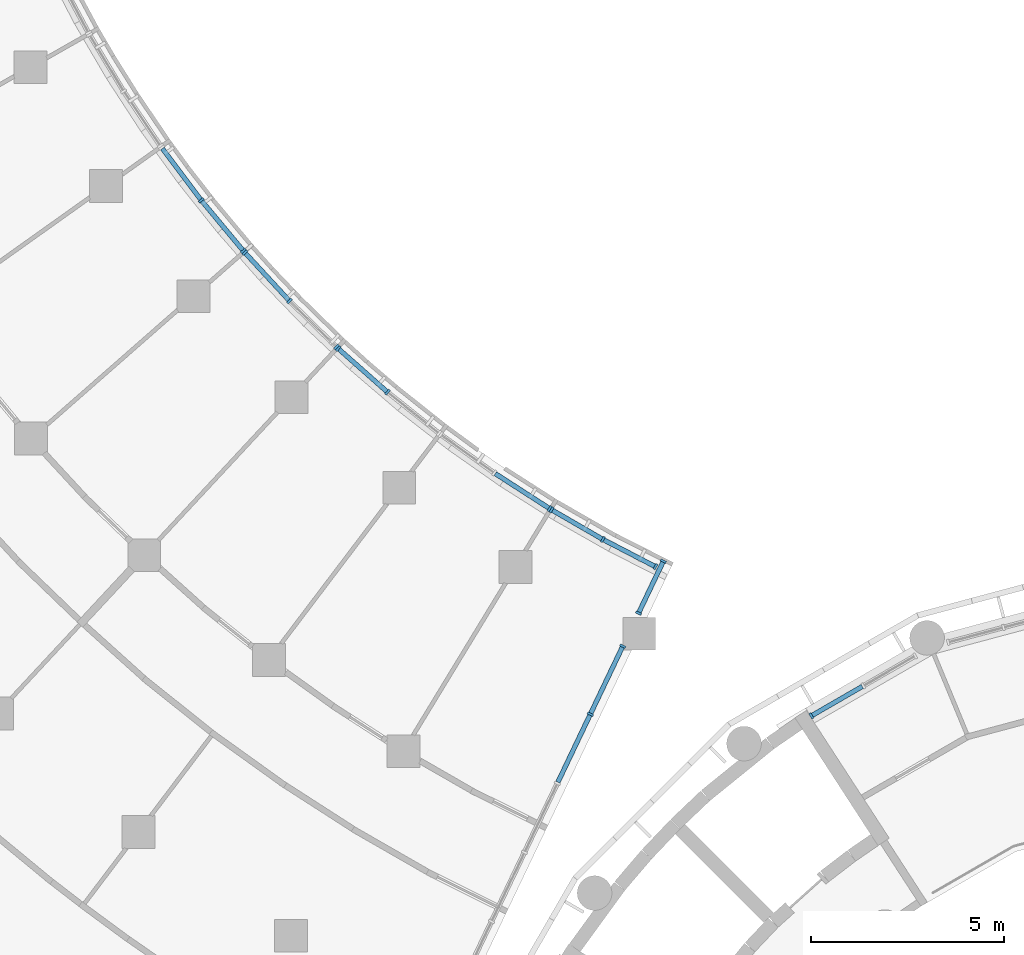
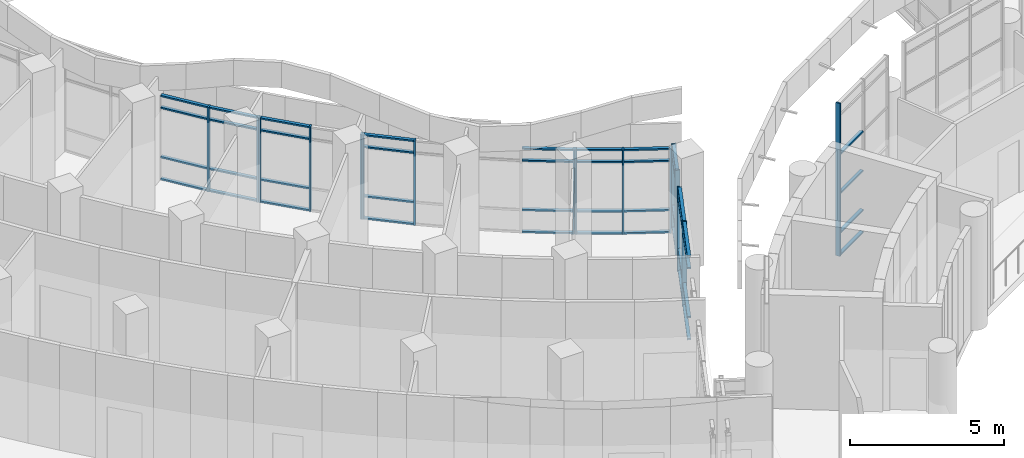
# One storey, part 20 of 136: 60 members, 8 elements without a shape of their own.
"""IFC4 building model written with IfcOpenShell, lengths in metres."""

from ifc_helpers import new_model, si_unit, direction, frame, origin, origin_2d, place, context, subcontext, project, spatial, rectangle, extrude, material, material_profile, profile_set, type_object, element, aggregate, save


model = new_model("IFC4")

# Units and contexts
model_context = context("Model", 3, precision=1e-05, world=origin(), true_north=direction((0.0, 1.0)))
body_context = subcontext(model_context, "Body", "Model", "MODEL_VIEW")
ifc_project = project(units=[si_unit("LENGTHUNIT", "METRE"), si_unit("AREAUNIT", "SQUARE_METRE"), si_unit("VOLUMEUNIT", "CUBIC_METRE"), si_unit("PLANEANGLEUNIT", "RADIAN"), si_unit("MASSUNIT", "GRAM", prefix="KILO")], contexts=[model_context])

# Site, building, storey
site_placement = place(None, origin())
site = spatial("IfcSite", under=ifc_project, at=site_placement, CompositionType="ELEMENT")
building_placement = place(site_placement, origin())
building = spatial("IfcBuilding", under=site, at=building_placement, Name="Bougainvillea Quay General Hospital", CompositionType="ELEMENT")
storey_placement = place(building_placement, frame((0.0, 0.0, 5.39990234375)))
storey = spatial("IfcBuildingStorey", under=building, at=storey_placement, Name="L01", CompositionType="ELEMENT", Elevation=5.39990234375)

# Curtain wall, members
ifc_material_1 = material(Name="Aluminium curtain wall system, powder-coated glazed", Category="aluminium")
curtain_wall_type_1 = type_object("IfcCurtainWallType", Name="Unitised curtain wall CW-1985", PredefinedType="NOTDEFINED", material=ifc_material_1)
curtain_wall_1_placement = place(storey_placement, origin())
curtain_wall_1 = element("IfcCurtainWall", 1, at=curtain_wall_1_placement, inside=storey, type_object=curtain_wall_type_1, Name="CW-AE 00", PredefinedType="NOTDEFINED")
ifc_material_2 = material(Name="Aluminium mullion, powder-coated charcoal", Category="aluminium")
ifc_material_profile_1 = material_profile(ifc_material_2, rectangle(XDim=0.159912109375, YDim=0.06005859375, at=origin_2d()))
ifc_profile_set_1 = profile_set([ifc_material_profile_1], Name="Aluminium mullion, powder-coated charcoal")
member_type_1 = type_object("IfcMemberType", Name="Curtain wall mullion 160x60", PredefinedType="MULLION", material=ifc_profile_set_1)
member_1_placement = place(storey_placement, frame((92.43017578125, 91.421630859375, 0.0), z_axis=(0.0, 0.0, 1.0), x_axis=(-0.902560506484, 0.430563040838, 0.0)))
member_1 = element("IfcMember", 2, at=member_1_placement, type_object=member_type_1, Name="CW-AE mullion 7", PredefinedType="MULLION", context=body_context, shape_type="SweptSolid", body=[
    extrude(rectangle(XDim=0.159912109375, YDim=0.06005859375, at=origin_2d()), origin(), (0.0, 0.0, 1.0), 3.35009765625),
])
member_2_placement = place(storey_placement, frame((93.271728515625, 93.18603515625, 0.0), z_axis=(0.0, 0.0, 1.0), x_axis=(-0.902560506484, 0.430563040838, 0.0)))
member_2 = element("IfcMember", 3, at=member_2_placement, type_object=member_type_1, Name="CW-AE mullion 8", PredefinedType="MULLION", context=body_context, shape_type="SweptSolid", body=[
    extrude(rectangle(XDim=0.159912109375, YDim=0.06005859375, at=origin_2d()), origin(), (0.0, 0.0, 1.0), 3.35009765625),
])

curtain_wall_type_2 = type_object("IfcCurtainWallType", Name="Unitised curtain wall CW-1555", PredefinedType="NOTDEFINED", material=ifc_material_1)
curtain_wall_2_placement = place(storey_placement, origin())
curtain_wall_2 = element("IfcCurtainWall", 4, at=curtain_wall_2_placement, inside=storey, type_object=curtain_wall_type_2, Name="CW-AE 01", PredefinedType="NOTDEFINED")
member_3_placement = place(storey_placement, frame((93.680908203125, 94.04345703125, 0.0), z_axis=(0.0, 0.0, 1.0), x_axis=(-0.902560506484, 0.430563040838, 0.0)))
member_3 = element("IfcMember", 5, at=member_3_placement, type_object=member_type_1, Name="CW-AE mullion 1", PredefinedType="MULLION", context=body_context, shape_type="SweptSolid", body=[
    extrude(rectangle(XDim=0.159912109375, YDim=0.06005859375, at=origin_2d()), origin(), (0.0, 0.0, 1.0), 3.35009765625),
])
member_4_placement = place(storey_placement, frame((94.324462890625, 95.392578125, 0.0), z_axis=(0.0, 0.0, 1.0), x_axis=(-0.902560506484, 0.430563040838, 0.0)))
member_4 = element("IfcMember", 6, at=member_4_placement, type_object=member_type_1, Name="CW-AE mullion 2", PredefinedType="MULLION", context=body_context, shape_type="SweptSolid", body=[
    extrude(rectangle(XDim=0.159912109375, YDim=0.06005859375, at=origin_2d()), origin(), (0.0, 0.0, 1.0), 3.35009765625),
])

curtain_wall_type_3 = type_object("IfcCurtainWallType", Name="Unitised curtain wall CW-2100", PredefinedType="NOTDEFINED", material=ifc_material_1)
curtain_wall_3_placement = place(storey_placement, origin())
curtain_wall_3 = element("IfcCurtainWall", 7, at=curtain_wall_3_placement, inside=storey, type_object=curtain_wall_type_3, Name="CW-W01 a11b0", PredefinedType="NOTDEFINED")
member_5_placement = place(storey_placement, frame((94.120361328125, 95.2490234375, 0.0), z_axis=(0.0, 0.0, 1.0), x_axis=(-0.459924477228, -0.887958036873, 0.0)))
member_5 = element("IfcMember", 8, at=member_5_placement, type_object=member_type_1, Name="CW-W01 mullion 1", PredefinedType="MULLION", context=body_context, shape_type="SweptSolid", body=[
    extrude(rectangle(XDim=0.159912109375, YDim=0.06005859375, at=origin_2d()), origin(), (0.0, 0.0, 1.0), 3.35009765625),
])
member_6_placement = place(storey_placement, frame((92.756591796875, 95.95556640625, 0.0), z_axis=(0.0, 0.0, 1.0), x_axis=(-0.480103411147, -0.877211898349, 0.0)))
member_6 = element("IfcMember", 9, at=member_6_placement, type_object=member_type_1, Name="CW-W01 mullion 2", PredefinedType="MULLION", context=body_context, shape_type="SweptSolid", body=[
    extrude(rectangle(XDim=0.159912109375, YDim=0.06005859375, at=origin_2d()), origin(), (0.0, 0.0, 1.0), 3.35009765625),
])
member_7_placement = place(storey_placement, frame((91.42626953125, 96.7236328125, 0.0), z_axis=(0.0, 0.0, 1.0), x_axis=(-0.50003140996, -0.866007268476, 0.0)))
member_7 = element("IfcMember", 10, at=member_7_placement, type_object=member_type_1, Name="CW-W01 mullion 3", PredefinedType="MULLION", context=body_context, shape_type="SweptSolid", body=[
    extrude(rectangle(XDim=0.159912109375, YDim=0.06005859375, at=origin_2d()), origin(), (0.0, 0.0, 1.0), 3.35009765625),
])

# Curtain wall, member
curtain_wall_4_placement = place(storey_placement, origin())
curtain_wall_4 = element("IfcCurtainWall", 11, at=curtain_wall_4_placement, inside=storey, type_object=curtain_wall_type_3, Name="CW-W02 a11b1", PredefinedType="NOTDEFINED")
member_8_placement = place(storey_placement, frame((91.375244140625, 96.7548828125, 0.0), z_axis=(0.0, 0.0, 1.0), x_axis=(-0.541194636325, -0.840897357359, 0.0)))
member_8 = element("IfcMember", 12, at=member_8_placement, type_object=member_type_1, Name="CW-W02 mullion 1", PredefinedType="MULLION", context=body_context, shape_type="SweptSolid", body=[
    extrude(rectangle(XDim=0.159912109375, YDim=0.06005859375, at=origin_2d()), origin(), (0.0, 0.0, 1.0), 3.35009765625),
])

# Curtain wall, members
curtain_wall_5_placement = place(storey_placement, origin())
curtain_wall_5 = element("IfcCurtainWall", 13, at=curtain_wall_5_placement, inside=storey, type_object=curtain_wall_type_3, Name="CW-W03 a11b2", PredefinedType="NOTDEFINED")
member_9_placement = place(storey_placement, frame((87.1708984375, 99.774658203125, 0.0), z_axis=(0.0, 0.0, 1.0), x_axis=(-0.643188621489, -0.765707775321, 0.0)))
member_9 = element("IfcMember", 14, at=member_9_placement, type_object=member_type_1, Name="CW-W03 mullion 2", PredefinedType="MULLION", context=body_context, shape_type="SweptSolid", body=[
    extrude(rectangle(XDim=0.159912109375, YDim=0.06005859375, at=origin_2d()), origin(), (0.0, 0.0, 1.0), 3.35009765625),
])
member_10_placement = place(storey_placement, frame((85.89208984375, 100.9052734375, 0.0), z_axis=(0.0, 0.0, 1.0), x_axis=(-0.662397799417, -0.749152291145, 0.0)))
member_10 = element("IfcMember", 15, at=member_10_placement, type_object=member_type_1, Name="CW-W03 mullion 3", PredefinedType="MULLION", context=body_context, shape_type="SweptSolid", body=[
    extrude(rectangle(XDim=0.159912109375, YDim=0.06005859375, at=origin_2d()), origin(), (0.0, 0.0, 1.0), 3.35009765625),
])

curtain_wall_6_placement = place(storey_placement, origin())
curtain_wall_6 = element("IfcCurtainWall", 16, at=curtain_wall_6_placement, inside=storey, type_object=curtain_wall_type_3, Name="CW-W04 a11b3", PredefinedType="NOTDEFINED")
member_11_placement = place(storey_placement, frame((85.84814453125, 100.946044921875, 0.0), z_axis=(0.0, 0.0, 1.0), x_axis=(-0.699526158712, -0.714606992183, 0.0)))
member_11 = element("IfcMember", 17, at=member_11_placement, type_object=member_type_1, Name="CW-W04 mullion 1", PredefinedType="MULLION", context=body_context, shape_type="SweptSolid", body=[
    extrude(rectangle(XDim=0.159912109375, YDim=0.06005859375, at=origin_2d()), origin(), (0.0, 0.0, 1.0), 3.35009765625),
])
member_12_placement = place(storey_placement, frame((84.62841796875, 102.14013671875, 0.0), z_axis=(0.0, 0.0, 1.0), x_axis=(-0.717421463702, -0.69663939267, 0.0)))
member_12 = element("IfcMember", 18, at=member_12_placement, type_object=member_type_1, Name="CW-W04 mullion 2", PredefinedType="MULLION", context=body_context, shape_type="SweptSolid", body=[
    extrude(rectangle(XDim=0.159912109375, YDim=0.06005859375, at=origin_2d()), origin(), (0.0, 0.0, 1.0), 3.35009765625),
])
member_13_placement = place(storey_placement, frame((83.470703125, 103.39453125, 0.0), z_axis=(0.0, 0.0, 1.0), x_axis=(-0.734855411756, -0.678223800683, 0.0)))
member_13 = element("IfcMember", 19, at=member_13_placement, type_object=member_type_1, Name="CW-W04 mullion 3", PredefinedType="MULLION", context=body_context, shape_type="SweptSolid", body=[
    extrude(rectangle(XDim=0.159912109375, YDim=0.06005859375, at=origin_2d()), origin(), (0.0, 0.0, 1.0), 3.35009765625),
])

curtain_wall_7_placement = place(storey_placement, origin())
curtain_wall_7 = element("IfcCurtainWall", 20, at=curtain_wall_7_placement, inside=storey, type_object=curtain_wall_type_3, Name="CW-W05 a11b4", PredefinedType="NOTDEFINED")
member_14_placement = place(storey_placement, frame((83.43115234375, 103.439697265625, 0.0), z_axis=(0.0, 0.0, 1.0), x_axis=(-0.768294695498, -0.64009629031, 0.0)))
member_14 = element("IfcMember", 21, at=member_14_placement, type_object=member_type_1, Name="CW-W05 mullion 1", PredefinedType="MULLION", context=body_context, shape_type="SweptSolid", body=[
    extrude(rectangle(XDim=0.159912109375, YDim=0.06005859375, at=origin_2d()), origin(), (0.0, 0.0, 1.0), 3.35009765625),
])
member_15_placement = place(storey_placement, frame((82.338623046875, 104.7509765625, 0.0), z_axis=(0.0, 0.0, 1.0), x_axis=(-0.784278527167, -0.620408890833, 0.0)))
member_15 = element("IfcMember", 22, at=member_15_placement, type_object=member_type_1, Name="CW-W05 mullion 2", PredefinedType="MULLION", context=body_context, shape_type="SweptSolid", body=[
    extrude(rectangle(XDim=0.159912109375, YDim=0.06005859375, at=origin_2d()), origin(), (0.0, 0.0, 1.0), 3.35009765625),
])

# Curtain wall, member
curtain_wall_type_4 = type_object("IfcCurtainWallType", Name="Unitised curtain wall CW-1585", PredefinedType="NOTDEFINED", material=ifc_material_1)
curtain_wall_8_placement = place(storey_placement, origin())
curtain_wall_8 = element("IfcCurtainWall", 23, at=curtain_wall_8_placement, inside=storey, type_object=curtain_wall_type_4, Name="CW-D 00", PredefinedType="NOTDEFINED")
member_16_placement = place(storey_placement, frame((98.16259765625, 91.379638671875, 0.0), z_axis=(0.0, 0.0, 1.0), x_axis=(0.499964557262, -0.866045865692, 0.0)))
member_16 = element("IfcMember", 24, at=member_16_placement, type_object=member_type_1, Name="CW-D mullion 3", PredefinedType="MULLION", context=body_context, shape_type="SweptSolid", body=[
    extrude(rectangle(XDim=0.159912109375, YDim=0.06005859375, at=origin_2d()), origin(), (0.0, 0.0, 1.0), 6.050048828125),
])

# Member
ifc_material_3 = material(Name="Aluminium transom, powder-coated charcoal", Category="aluminium")
ifc_material_profile_2 = material_profile(ifc_material_3, rectangle(XDim=0.1201171875, YDim=0.06005859375, at=origin_2d()))
ifc_profile_set_2 = profile_set([ifc_material_profile_2], Name="Aluminium transom, powder-coated charcoal")
member_type_2 = type_object("IfcMemberType", Name="Curtain wall transom 120x60", PredefinedType="USERDEFINED", material=ifc_profile_set_2)
member_17_placement = place(storey_placement, frame((91.58837890625, 89.6572265625, 0.030029296875), z_axis=(0.430598106439, 0.902543777737, 0.0), x_axis=(-0.902543777737, 0.430598106439, 0.0)))
member_17 = element("IfcMember", 25, at=member_17_placement, type_object=member_type_2, Name="CW-AE transom 6.1", ObjectType="TRANSOM", PredefinedType="USERDEFINED", context=body_context, shape_type="SweptSolid", body=[
    extrude(rectangle(XDim=0.1201171875, YDim=0.06005859375, at=origin_2d()), origin(), (0.0, 0.0, 1.0), 1.9248046875),
])

member_18_placement = place(storey_placement, frame((91.58837890625, 89.6572265625, 0.900146484375), z_axis=(0.430598106439, 0.902543777737, 0.0), x_axis=(-0.902543777737, 0.430598106439, 0.0)))
member_18 = element("IfcMember", 26, at=member_18_placement, type_object=member_type_2, Name="CW-AE transom 6.2", ObjectType="TRANSOM", PredefinedType="USERDEFINED", context=body_context, shape_type="SweptSolid", body=[
    extrude(rectangle(XDim=0.1201171875, YDim=0.06005859375, at=origin_2d()), origin(), (0.0, 0.0, 1.0), 1.9248046875),
])

member_19_placement = place(storey_placement, frame((91.58837890625, 89.6572265625, 2.85009765625), z_axis=(0.430598106439, 0.902543777737, 0.0), x_axis=(-0.902543777737, 0.430598106439, 0.0)))
member_19 = element("IfcMember", 27, at=member_19_placement, type_object=member_type_2, Name="CW-AE transom 6.3", ObjectType="TRANSOM", PredefinedType="USERDEFINED", context=body_context, shape_type="SweptSolid", body=[
    extrude(rectangle(XDim=0.1201171875, YDim=0.06005859375, at=origin_2d()), origin(), (0.0, 0.0, 1.0), 1.9248046875),
])

member_20_placement = place(storey_placement, frame((91.58837890625, 89.6572265625, 3.320068359375), z_axis=(0.430598106439, 0.902543777737, 0.0), x_axis=(-0.902543777737, 0.430598106439, 0.0)))
member_20 = element("IfcMember", 28, at=member_20_placement, type_object=member_type_2, Name="CW-AE transom 6.4", ObjectType="TRANSOM", PredefinedType="USERDEFINED", context=body_context, shape_type="SweptSolid", body=[
    extrude(rectangle(XDim=0.1201171875, YDim=0.06005859375, at=origin_2d()), origin(), (0.0, 0.0, 1.0), 1.9248046875),
])

member_21_placement = place(storey_placement, frame((92.443115234375, 91.44873046875, 0.030029296875), z_axis=(0.430488674574, 0.902595978865, 0.0), x_axis=(-0.902595978865, 0.430488674574, 0.0)))
member_21 = element("IfcMember", 29, at=member_21_placement, type_object=member_type_2, Name="CW-AE transom 7.1", ObjectType="TRANSOM", PredefinedType="USERDEFINED", context=body_context, shape_type="SweptSolid", body=[
    extrude(rectangle(XDim=0.1201171875, YDim=0.06005859375, at=origin_2d()), origin(), (0.0, 0.0, 1.0), 1.894775390625),
])

member_22_placement = place(storey_placement, frame((92.443115234375, 91.44873046875, 0.900146484375), z_axis=(0.430488674574, 0.902595978865, 0.0), x_axis=(-0.902595978865, 0.430488674574, 0.0)))
member_22 = element("IfcMember", 30, at=member_22_placement, type_object=member_type_2, Name="CW-AE transom 7.2", ObjectType="TRANSOM", PredefinedType="USERDEFINED", context=body_context, shape_type="SweptSolid", body=[
    extrude(rectangle(XDim=0.1201171875, YDim=0.06005859375, at=origin_2d()), origin(), (0.0, 0.0, 1.0), 1.894775390625),
])

member_23_placement = place(storey_placement, frame((92.443115234375, 91.44873046875, 2.85009765625), z_axis=(0.430488674574, 0.902595978865, 0.0), x_axis=(-0.902595978865, 0.430488674574, 0.0)))
member_23 = element("IfcMember", 31, at=member_23_placement, type_object=member_type_2, Name="CW-AE transom 7.3", ObjectType="TRANSOM", PredefinedType="USERDEFINED", context=body_context, shape_type="SweptSolid", body=[
    extrude(rectangle(XDim=0.1201171875, YDim=0.06005859375, at=origin_2d()), origin(), (0.0, 0.0, 1.0), 1.894775390625),
])

member_24_placement = place(storey_placement, frame((92.443115234375, 91.44873046875, 3.320068359375), z_axis=(0.430488674574, 0.902595978865, 0.0), x_axis=(-0.902595978865, 0.430488674574, 0.0)))
member_24 = element("IfcMember", 32, at=member_24_placement, type_object=member_type_2, Name="CW-AE transom 7.4", ObjectType="TRANSOM", PredefinedType="USERDEFINED", context=body_context, shape_type="SweptSolid", body=[
    extrude(rectangle(XDim=0.1201171875, YDim=0.06005859375, at=origin_2d()), origin(), (0.0, 0.0, 1.0), 1.894775390625),
])

aggregate(curtain_wall_1, [member_1, member_2, member_17, member_18, member_19, member_20, member_21, member_22, member_23, member_24])

member_25_placement = place(storey_placement, frame((93.69384765625, 94.070556640625, 0.030029296875), z_axis=(0.430527978347, 0.902577232075, 0.0), x_axis=(-0.902577232075, 0.430527978347, 0.0)))
member_25 = element("IfcMember", 33, at=member_25_placement, type_object=member_type_2, Name="CW-AE transom 1.1", ObjectType="TRANSOM", PredefinedType="USERDEFINED", context=body_context, shape_type="SweptSolid", body=[
    extrude(rectangle(XDim=0.1201171875, YDim=0.06005859375, at=origin_2d()), origin(), (0.0, 0.0, 1.0), 1.434814453125),
])

member_26_placement = place(storey_placement, frame((93.69384765625, 94.070556640625, 0.900146484375), z_axis=(0.430527978347, 0.902577232075, 0.0), x_axis=(-0.902577232075, 0.430527978347, 0.0)))
member_26 = element("IfcMember", 34, at=member_26_placement, type_object=member_type_2, Name="CW-AE transom 1.2", ObjectType="TRANSOM", PredefinedType="USERDEFINED", context=body_context, shape_type="SweptSolid", body=[
    extrude(rectangle(XDim=0.1201171875, YDim=0.06005859375, at=origin_2d()), origin(), (0.0, 0.0, 1.0), 1.434814453125),
])

member_27_placement = place(storey_placement, frame((93.69384765625, 94.070556640625, 2.85009765625), z_axis=(0.430527978347, 0.902577232075, 0.0), x_axis=(-0.902577232075, 0.430527978347, 0.0)))
member_27 = element("IfcMember", 35, at=member_27_placement, type_object=member_type_2, Name="CW-AE transom 1.3", ObjectType="TRANSOM", PredefinedType="USERDEFINED", context=body_context, shape_type="SweptSolid", body=[
    extrude(rectangle(XDim=0.1201171875, YDim=0.06005859375, at=origin_2d()), origin(), (0.0, 0.0, 1.0), 1.434814453125),
])

member_28_placement = place(storey_placement, frame((93.69384765625, 94.070556640625, 3.320068359375), z_axis=(0.430527978347, 0.902577232075, 0.0), x_axis=(-0.902577232075, 0.430527978347, 0.0)))
member_28 = element("IfcMember", 36, at=member_28_placement, type_object=member_type_2, Name="CW-AE transom 1.4", ObjectType="TRANSOM", PredefinedType="USERDEFINED", context=body_context, shape_type="SweptSolid", body=[
    extrude(rectangle(XDim=0.1201171875, YDim=0.06005859375, at=origin_2d()), origin(), (0.0, 0.0, 1.0), 1.434814453125),
])

aggregate(curtain_wall_2, [member_3, member_4, member_25, member_26, member_27, member_28])

member_29_placement = place(storey_placement, frame((94.09375, 95.262939453125, 0.030029296875), z_axis=(-0.887984759124, 0.459872881961, 0.0), x_axis=(-0.459872881961, -0.887984759124, 0.0)))
member_29 = element("IfcMember", 37, at=member_29_placement, type_object=member_type_2, Name="CW-W01 transom 1.1", ObjectType="TRANSOM", PredefinedType="USERDEFINED", context=body_context, shape_type="SweptSolid", body=[
    extrude(rectangle(XDim=0.1201171875, YDim=0.06005859375, at=origin_2d()), origin(), (0.0, 0.0, 1.0), 1.475830078125),
])

member_30_placement = place(storey_placement, frame((94.09375, 95.262939453125, 0.900146484375), z_axis=(-0.887984759124, 0.459872881961, 0.0), x_axis=(-0.459872881961, -0.887984759124, 0.0)))
member_30 = element("IfcMember", 38, at=member_30_placement, type_object=member_type_2, Name="CW-W01 transom 1.2", ObjectType="TRANSOM", PredefinedType="USERDEFINED", context=body_context, shape_type="SweptSolid", body=[
    extrude(rectangle(XDim=0.1201171875, YDim=0.06005859375, at=origin_2d()), origin(), (0.0, 0.0, 1.0), 1.475830078125),
])

member_31_placement = place(storey_placement, frame((94.09375, 95.262939453125, 2.85009765625), z_axis=(-0.887984759124, 0.459872881961, 0.0), x_axis=(-0.459872881961, -0.887984759124, 0.0)))
member_31 = element("IfcMember", 39, at=member_31_placement, type_object=member_type_2, Name="CW-W01 transom 1.3", ObjectType="TRANSOM", PredefinedType="USERDEFINED", context=body_context, shape_type="SweptSolid", body=[
    extrude(rectangle(XDim=0.1201171875, YDim=0.06005859375, at=origin_2d()), origin(), (0.0, 0.0, 1.0), 1.475830078125),
])

member_32_placement = place(storey_placement, frame((94.09375, 95.262939453125, 3.320068359375), z_axis=(-0.887984759124, 0.459872881961, 0.0), x_axis=(-0.459872881961, -0.887984759124, 0.0)))
member_32 = element("IfcMember", 40, at=member_32_placement, type_object=member_type_2, Name="CW-W01 transom 1.4", ObjectType="TRANSOM", PredefinedType="USERDEFINED", context=body_context, shape_type="SweptSolid", body=[
    extrude(rectangle(XDim=0.1201171875, YDim=0.06005859375, at=origin_2d()), origin(), (0.0, 0.0, 1.0), 1.475830078125),
])

member_33_placement = place(storey_placement, frame((92.73046875, 95.970458984375, 0.030029296875), z_axis=(-0.865984475827, 0.500070882603, 0.0), x_axis=(-0.500070882603, -0.865984475827, 0.0)))
member_33 = element("IfcMember", 41, at=member_33_placement, type_object=member_type_2, Name="CW-W01 transom 2.1", ObjectType="TRANSOM", PredefinedType="USERDEFINED", context=body_context, shape_type="SweptSolid", body=[
    extrude(rectangle(XDim=0.1201171875, YDim=0.06005859375, at=origin_2d()), origin(), (0.0, 0.0, 1.0), 1.475830078125),
])

member_34_placement = place(storey_placement, frame((92.73046875, 95.970458984375, 0.900146484375), z_axis=(-0.865984475827, 0.500070882603, 0.0), x_axis=(-0.500070882603, -0.865984475827, 0.0)))
member_34 = element("IfcMember", 42, at=member_34_placement, type_object=member_type_2, Name="CW-W01 transom 2.2", ObjectType="TRANSOM", PredefinedType="USERDEFINED", context=body_context, shape_type="SweptSolid", body=[
    extrude(rectangle(XDim=0.1201171875, YDim=0.06005859375, at=origin_2d()), origin(), (0.0, 0.0, 1.0), 1.475830078125),
])

member_35_placement = place(storey_placement, frame((92.73046875, 95.970458984375, 2.85009765625), z_axis=(-0.865984475827, 0.500070882603, 0.0), x_axis=(-0.500070882603, -0.865984475827, 0.0)))
member_35 = element("IfcMember", 43, at=member_35_placement, type_object=member_type_2, Name="CW-W01 transom 2.3", ObjectType="TRANSOM", PredefinedType="USERDEFINED", context=body_context, shape_type="SweptSolid", body=[
    extrude(rectangle(XDim=0.1201171875, YDim=0.06005859375, at=origin_2d()), origin(), (0.0, 0.0, 1.0), 1.475830078125),
])

member_36_placement = place(storey_placement, frame((92.73046875, 95.970458984375, 3.320068359375), z_axis=(-0.865984475827, 0.500070882603, 0.0), x_axis=(-0.500070882603, -0.865984475827, 0.0)))
member_36 = element("IfcMember", 44, at=member_36_placement, type_object=member_type_2, Name="CW-W01 transom 2.4", ObjectType="TRANSOM", PredefinedType="USERDEFINED", context=body_context, shape_type="SweptSolid", body=[
    extrude(rectangle(XDim=0.1201171875, YDim=0.06005859375, at=origin_2d()), origin(), (0.0, 0.0, 1.0), 1.475830078125),
])

aggregate(curtain_wall_3, [member_5, member_6, member_7, member_29, member_30, member_31, member_32, member_33, member_34, member_35, member_36])

member_37_placement = place(storey_placement, frame((91.349853515625, 96.77099609375, 0.030029296875), z_axis=(-0.840860427207, 0.541252013352, 0.0), x_axis=(-0.541252013352, -0.840860427207, 0.0)))
member_37 = element("IfcMember", 45, at=member_37_placement, type_object=member_type_2, Name="CW-W02 transom 1.1", ObjectType="TRANSOM", PredefinedType="USERDEFINED", context=body_context, shape_type="SweptSolid", body=[
    extrude(rectangle(XDim=0.1201171875, YDim=0.06005859375, at=origin_2d()), origin(), (0.0, 0.0, 1.0), 1.646728515625),
])

member_38_placement = place(storey_placement, frame((91.349853515625, 96.77099609375, 0.900146484375), z_axis=(-0.840860427207, 0.541252013352, 0.0), x_axis=(-0.541252013352, -0.840860427207, 0.0)))
member_38 = element("IfcMember", 46, at=member_38_placement, type_object=member_type_2, Name="CW-W02 transom 1.2", ObjectType="TRANSOM", PredefinedType="USERDEFINED", context=body_context, shape_type="SweptSolid", body=[
    extrude(rectangle(XDim=0.1201171875, YDim=0.06005859375, at=origin_2d()), origin(), (0.0, 0.0, 1.0), 1.646728515625),
])

member_39_placement = place(storey_placement, frame((91.349853515625, 96.77099609375, 2.85009765625), z_axis=(-0.840860427207, 0.541252013352, 0.0), x_axis=(-0.541252013352, -0.840860427207, 0.0)))
member_39 = element("IfcMember", 47, at=member_39_placement, type_object=member_type_2, Name="CW-W02 transom 1.3", ObjectType="TRANSOM", PredefinedType="USERDEFINED", context=body_context, shape_type="SweptSolid", body=[
    extrude(rectangle(XDim=0.1201171875, YDim=0.06005859375, at=origin_2d()), origin(), (0.0, 0.0, 1.0), 1.646728515625),
])

member_40_placement = place(storey_placement, frame((91.349853515625, 96.77099609375, 3.320068359375), z_axis=(-0.840860427207, 0.541252013352, 0.0), x_axis=(-0.541252013352, -0.840860427207, 0.0)))
member_40 = element("IfcMember", 48, at=member_40_placement, type_object=member_type_2, Name="CW-W02 transom 1.4", ObjectType="TRANSOM", PredefinedType="USERDEFINED", context=body_context, shape_type="SweptSolid", body=[
    extrude(rectangle(XDim=0.1201171875, YDim=0.06005859375, at=origin_2d()), origin(), (0.0, 0.0, 1.0), 1.646728515625),
])

aggregate(curtain_wall_4, [member_8, member_37, member_38, member_39, member_40])

member_41_placement = place(storey_placement, frame((87.1484375, 99.79443359375, 0.030029296875), z_axis=(-0.749205906667, 0.662337156903, 0.0), x_axis=(-0.662337156903, -0.749205906667, 0.0)))
member_41 = element("IfcMember", 49, at=member_41_placement, type_object=member_type_2, Name="CW-W03 transom 2.1", ObjectType="TRANSOM", PredefinedType="USERDEFINED", context=body_context, shape_type="SweptSolid", body=[
    extrude(rectangle(XDim=0.1201171875, YDim=0.06005859375, at=origin_2d()), origin(), (0.0, 0.0, 1.0), 1.64697265625),
])

member_42_placement = place(storey_placement, frame((87.1484375, 99.79443359375, 0.900146484375), z_axis=(-0.749205906667, 0.662337156903, 0.0), x_axis=(-0.662337156903, -0.749205906667, 0.0)))
member_42 = element("IfcMember", 50, at=member_42_placement, type_object=member_type_2, Name="CW-W03 transom 2.2", ObjectType="TRANSOM", PredefinedType="USERDEFINED", context=body_context, shape_type="SweptSolid", body=[
    extrude(rectangle(XDim=0.1201171875, YDim=0.06005859375, at=origin_2d()), origin(), (0.0, 0.0, 1.0), 1.64697265625),
])

member_43_placement = place(storey_placement, frame((87.1484375, 99.79443359375, 2.85009765625), z_axis=(-0.749205906667, 0.662337156903, 0.0), x_axis=(-0.662337156903, -0.749205906667, 0.0)))
member_43 = element("IfcMember", 51, at=member_43_placement, type_object=member_type_2, Name="CW-W03 transom 2.3", ObjectType="TRANSOM", PredefinedType="USERDEFINED", context=body_context, shape_type="SweptSolid", body=[
    extrude(rectangle(XDim=0.1201171875, YDim=0.06005859375, at=origin_2d()), origin(), (0.0, 0.0, 1.0), 1.64697265625),
])

member_44_placement = place(storey_placement, frame((87.1484375, 99.79443359375, 3.320068359375), z_axis=(-0.749205906667, 0.662337156903, 0.0), x_axis=(-0.662337156903, -0.749205906667, 0.0)))
member_44 = element("IfcMember", 52, at=member_44_placement, type_object=member_type_2, Name="CW-W03 transom 2.4", ObjectType="TRANSOM", PredefinedType="USERDEFINED", context=body_context, shape_type="SweptSolid", body=[
    extrude(rectangle(XDim=0.1201171875, YDim=0.06005859375, at=origin_2d()), origin(), (0.0, 0.0, 1.0), 1.64697265625),
])

aggregate(curtain_wall_5, [member_9, member_10, member_41, member_42, member_43, member_44])

member_45_placement = place(storey_placement, frame((84.60791015625, 102.162109375, 0.030029296875), z_axis=(-0.678150805641, 0.734922774725, 0.0), x_axis=(-0.734922774725, -0.678150805641, 0.0)))
member_45 = element("IfcMember", 53, at=member_45_placement, type_object=member_type_2, Name="CW-W04 transom 2.1", ObjectType="TRANSOM", PredefinedType="USERDEFINED", context=body_context, shape_type="SweptSolid", body=[
    extrude(rectangle(XDim=0.1201171875, YDim=0.06005859375, at=origin_2d()), origin(), (0.0, 0.0, 1.0), 1.64697265625),
])

member_46_placement = place(storey_placement, frame((84.60791015625, 102.162109375, 0.900146484375), z_axis=(-0.678150805641, 0.734922774725, 0.0), x_axis=(-0.734922774725, -0.678150805641, 0.0)))
member_46 = element("IfcMember", 54, at=member_46_placement, type_object=member_type_2, Name="CW-W04 transom 2.2", ObjectType="TRANSOM", PredefinedType="USERDEFINED", context=body_context, shape_type="SweptSolid", body=[
    extrude(rectangle(XDim=0.1201171875, YDim=0.06005859375, at=origin_2d()), origin(), (0.0, 0.0, 1.0), 1.64697265625),
])

member_47_placement = place(storey_placement, frame((84.60791015625, 102.162109375, 2.85009765625), z_axis=(-0.678150805641, 0.734922774725, 0.0), x_axis=(-0.734922774725, -0.678150805641, 0.0)))
member_47 = element("IfcMember", 55, at=member_47_placement, type_object=member_type_2, Name="CW-W04 transom 2.3", ObjectType="TRANSOM", PredefinedType="USERDEFINED", context=body_context, shape_type="SweptSolid", body=[
    extrude(rectangle(XDim=0.1201171875, YDim=0.06005859375, at=origin_2d()), origin(), (0.0, 0.0, 1.0), 1.64697265625),
])

member_48_placement = place(storey_placement, frame((84.60791015625, 102.162109375, 3.320068359375), z_axis=(-0.678150805641, 0.734922774725, 0.0), x_axis=(-0.734922774725, -0.678150805641, 0.0)))
member_48 = element("IfcMember", 56, at=member_48_placement, type_object=member_type_2, Name="CW-W04 transom 2.4", ObjectType="TRANSOM", PredefinedType="USERDEFINED", context=body_context, shape_type="SweptSolid", body=[
    extrude(rectangle(XDim=0.1201171875, YDim=0.06005859375, at=origin_2d()), origin(), (0.0, 0.0, 1.0), 1.64697265625),
])

aggregate(curtain_wall_6, [member_11, member_12, member_13, member_45, member_46, member_47, member_48])

member_49_placement = place(storey_placement, frame((83.411865234375, 103.462646484375, 0.030029296875), z_axis=(-0.640082329998, 0.768306326165, 0.0), x_axis=(-0.768306326165, -0.640082329998, 0.0)))
member_49 = element("IfcMember", 57, at=member_49_placement, type_object=member_type_2, Name="CW-W05 transom 1.1", ObjectType="TRANSOM", PredefinedType="USERDEFINED", context=body_context, shape_type="SweptSolid", body=[
    extrude(rectangle(XDim=0.1201171875, YDim=0.06005859375, at=origin_2d()), origin(), (0.0, 0.0, 1.0), 1.64697265625),
])

member_50_placement = place(storey_placement, frame((83.411865234375, 103.462646484375, 0.900146484375), z_axis=(-0.640082329998, 0.768306326165, 0.0), x_axis=(-0.768306326165, -0.640082329998, 0.0)))
member_50 = element("IfcMember", 58, at=member_50_placement, type_object=member_type_2, Name="CW-W05 transom 1.2", ObjectType="TRANSOM", PredefinedType="USERDEFINED", context=body_context, shape_type="SweptSolid", body=[
    extrude(rectangle(XDim=0.1201171875, YDim=0.06005859375, at=origin_2d()), origin(), (0.0, 0.0, 1.0), 1.64697265625),
])

member_51_placement = place(storey_placement, frame((83.411865234375, 103.462646484375, 2.85009765625), z_axis=(-0.640082329998, 0.768306326165, 0.0), x_axis=(-0.768306326165, -0.640082329998, 0.0)))
member_51 = element("IfcMember", 59, at=member_51_placement, type_object=member_type_2, Name="CW-W05 transom 1.3", ObjectType="TRANSOM", PredefinedType="USERDEFINED", context=body_context, shape_type="SweptSolid", body=[
    extrude(rectangle(XDim=0.1201171875, YDim=0.06005859375, at=origin_2d()), origin(), (0.0, 0.0, 1.0), 1.64697265625),
])

member_52_placement = place(storey_placement, frame((83.411865234375, 103.462646484375, 3.320068359375), z_axis=(-0.640082329998, 0.768306326165, 0.0), x_axis=(-0.768306326165, -0.640082329998, 0.0)))
member_52 = element("IfcMember", 60, at=member_52_placement, type_object=member_type_2, Name="CW-W05 transom 1.4", ObjectType="TRANSOM", PredefinedType="USERDEFINED", context=body_context, shape_type="SweptSolid", body=[
    extrude(rectangle(XDim=0.1201171875, YDim=0.06005859375, at=origin_2d()), origin(), (0.0, 0.0, 1.0), 1.64697265625),
])

member_53_placement = place(storey_placement, frame((82.320556640625, 104.775146484375, 0.030029296875), z_axis=(-0.600355707015, 0.799733096135, 0.0), x_axis=(-0.799733096135, -0.600355707015, 0.0)))
member_53 = element("IfcMember", 61, at=member_53_placement, type_object=member_type_2, Name="CW-W05 transom 2.1", ObjectType="TRANSOM", PredefinedType="USERDEFINED", context=body_context, shape_type="SweptSolid", body=[
    extrude(rectangle(XDim=0.1201171875, YDim=0.06005859375, at=origin_2d()), origin(), (0.0, 0.0, 1.0), 1.64697265625),
])

member_54_placement = place(storey_placement, frame((82.320556640625, 104.775146484375, 0.900146484375), z_axis=(-0.600355707015, 0.799733096135, 0.0), x_axis=(-0.799733096135, -0.600355707015, 0.0)))
member_54 = element("IfcMember", 62, at=member_54_placement, type_object=member_type_2, Name="CW-W05 transom 2.2", ObjectType="TRANSOM", PredefinedType="USERDEFINED", context=body_context, shape_type="SweptSolid", body=[
    extrude(rectangle(XDim=0.1201171875, YDim=0.06005859375, at=origin_2d()), origin(), (0.0, 0.0, 1.0), 1.64697265625),
])

member_55_placement = place(storey_placement, frame((82.320556640625, 104.775146484375, 2.85009765625), z_axis=(-0.600355707015, 0.799733096135, 0.0), x_axis=(-0.799733096135, -0.600355707015, 0.0)))
member_55 = element("IfcMember", 63, at=member_55_placement, type_object=member_type_2, Name="CW-W05 transom 2.3", ObjectType="TRANSOM", PredefinedType="USERDEFINED", context=body_context, shape_type="SweptSolid", body=[
    extrude(rectangle(XDim=0.1201171875, YDim=0.06005859375, at=origin_2d()), origin(), (0.0, 0.0, 1.0), 1.64697265625),
])

member_56_placement = place(storey_placement, frame((82.320556640625, 104.775146484375, 3.320068359375), z_axis=(-0.600355707015, 0.799733096135, 0.0), x_axis=(-0.799733096135, -0.600355707015, 0.0)))
member_56 = element("IfcMember", 64, at=member_56_placement, type_object=member_type_2, Name="CW-W05 transom 2.4", ObjectType="TRANSOM", PredefinedType="USERDEFINED", context=body_context, shape_type="SweptSolid", body=[
    extrude(rectangle(XDim=0.1201171875, YDim=0.06005859375, at=origin_2d()), origin(), (0.0, 0.0, 1.0), 1.64697265625),
])

aggregate(curtain_wall_7, [member_14, member_15, member_49, member_50, member_51, member_52, member_53, member_54, member_55, member_56])

member_57_placement = place(storey_placement, frame((99.4833984375, 92.14208984375, 0.030029296875), z_axis=(-0.866074087889, -0.499915667175, 0.0), x_axis=(0.499915667175, -0.866074087889, 0.0)))
member_57 = element("IfcMember", 65, at=member_57_placement, type_object=member_type_2, Name="CW-D transom 2.1", ObjectType="TRANSOM", PredefinedType="USERDEFINED", context=body_context, shape_type="SweptSolid", body=[
    extrude(rectangle(XDim=0.1201171875, YDim=0.06005859375, at=origin_2d()), origin(), (0.0, 0.0, 1.0), 1.494873046875),
])

member_58_placement = place(storey_placement, frame((99.4833984375, 92.14208984375, 0.900146484375), z_axis=(-0.866074087889, -0.499915667175, 0.0), x_axis=(0.499915667175, -0.866074087889, 0.0)))
member_58 = element("IfcMember", 66, at=member_58_placement, type_object=member_type_2, Name="CW-D transom 2.2", ObjectType="TRANSOM", PredefinedType="USERDEFINED", context=body_context, shape_type="SweptSolid", body=[
    extrude(rectangle(XDim=0.1201171875, YDim=0.06005859375, at=origin_2d()), origin(), (0.0, 0.0, 1.0), 1.494873046875),
])

member_59_placement = place(storey_placement, frame((99.4833984375, 92.14208984375, 2.4501953125), z_axis=(-0.866074087889, -0.499915667175, 0.0), x_axis=(0.499915667175, -0.866074087889, 0.0)))
member_59 = element("IfcMember", 67, at=member_59_placement, type_object=member_type_2, Name="CW-D transom 2.3", ObjectType="TRANSOM", PredefinedType="USERDEFINED", context=body_context, shape_type="SweptSolid", body=[
    extrude(rectangle(XDim=0.1201171875, YDim=0.06005859375, at=origin_2d()), origin(), (0.0, 0.0, 1.0), 1.494873046875),
])

member_60_placement = place(storey_placement, frame((99.4833984375, 92.14208984375, 4.0), z_axis=(-0.866074087889, -0.499915667175, 0.0), x_axis=(0.499915667175, -0.866074087889, 0.0)))
member_60 = element("IfcMember", 68, at=member_60_placement, type_object=member_type_2, Name="CW-D transom 2.4", ObjectType="TRANSOM", PredefinedType="USERDEFINED", context=body_context, shape_type="SweptSolid", body=[
    extrude(rectangle(XDim=0.1201171875, YDim=0.06005859375, at=origin_2d()), origin(), (0.0, 0.0, 1.0), 1.494873046875),
])

aggregate(curtain_wall_8, [member_16, member_57, member_58, member_59, member_60])

save(model, "model.ifc")
